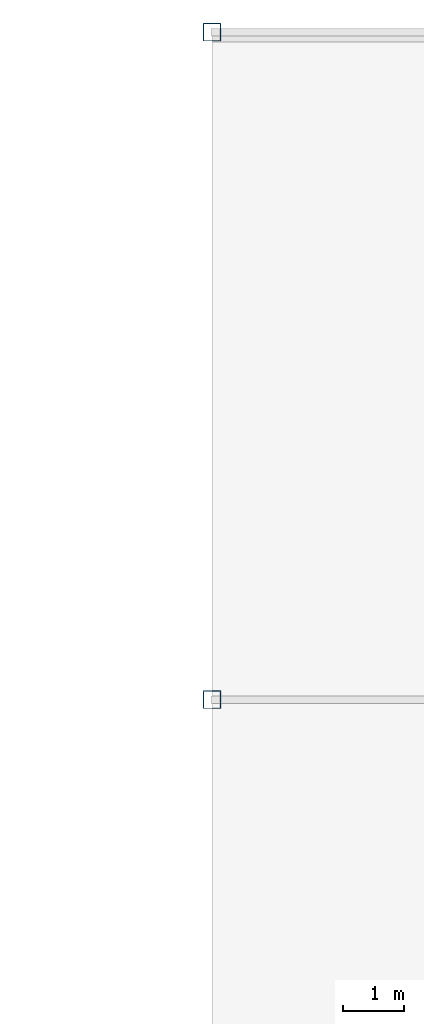
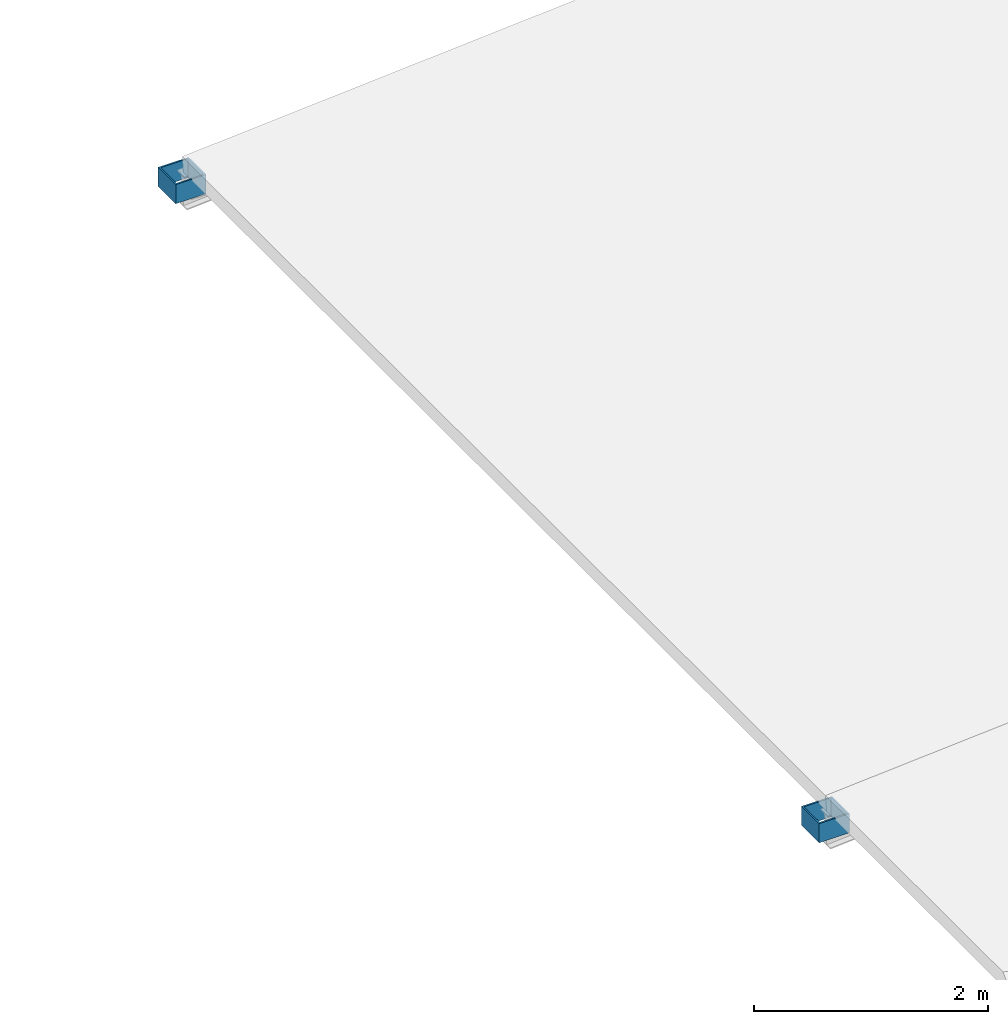
# One storey, part 23 of 118: 2 columns.
"""IFC4 building model written with IfcOpenShell, lengths in metres."""

from ifc_helpers import new_model, si_unit, direction, frame, origin, origin_2d, place, context, subcontext, project, spatial, hollow_rectangle, extrude, material, material_profile, profile_set, type_object, element, save


model = new_model("IFC4")

# Units and contexts
model_context = context("Model", 3, precision=1e-05, world=origin(), true_north=direction((0.0, 1.0)))
body_context = subcontext(model_context, "Body", "Model", "MODEL_VIEW")
ifc_project = project(units=[si_unit("LENGTHUNIT", "METRE"), si_unit("AREAUNIT", "SQUARE_METRE"), si_unit("VOLUMEUNIT", "CUBIC_METRE"), si_unit("PLANEANGLEUNIT", "RADIAN"), si_unit("MASSUNIT", "GRAM", prefix="KILO")], contexts=[model_context])

# Site, building, storey
site_placement = place(None, origin())
site = spatial("IfcSite", under=ifc_project, at=site_placement, CompositionType="ELEMENT")
building_placement = place(site_placement, origin())
building = spatial("IfcBuilding", under=site, at=building_placement, Name="Luwafu Chhajja Arena", CompositionType="ELEMENT")
storey_placement = place(building_placement, frame((0.0, 0.0, 10.199951171875)))
storey = spatial("IfcBuildingStorey", under=building, at=storey_placement, Name="L02", CompositionType="ELEMENT", Elevation=10.199951171875)

# Columns
ifc_material = material(Name="Steel S355", Category="steel")
ifc_material_profile = material_profile(ifc_material, hollow_rectangle(XDim=0.300048828125, YDim=0.300048828125, WallThickness=0.01611328125, at=origin_2d()), Name="SHS 300x300x16")
ifc_profile_set = profile_set([ifc_material_profile], Name="Steel S355")
column_type = type_object("IfcColumnType", Name="Steel Gallery Post SHS 300", PredefinedType="COLUMN", material=ifc_profile_set)
for number, where, z_axis, x_axis, name in (
    (1, (140.0, 110.0, 0.0), (0.0, 0.0, 1.0), (1.0, 0.0, 0.0), "L02 Cloister Post 12/10A"),
    (2, (140.0, 121.0, 0.0), (0.0, 0.0, 1.0), (1.0, 0.0, 0.0), "L02 Cloister Post 12/11A"),
):
    element("IfcColumn", number, at=place(storey_placement, frame(where, z_axis=z_axis, x_axis=x_axis)), inside=storey, type_object=column_type, Name=name, PredefinedType="COLUMN", context=body_context, shape_type="SweptSolid", body=[
        extrude(hollow_rectangle(XDim=0.300048828125, YDim=0.300048828125, WallThickness=0.01611328125, at=origin_2d()), origin(), (0.0, 0.0, 1.0), 0.199951171875),
    ])

save(model, "model.ifc")
